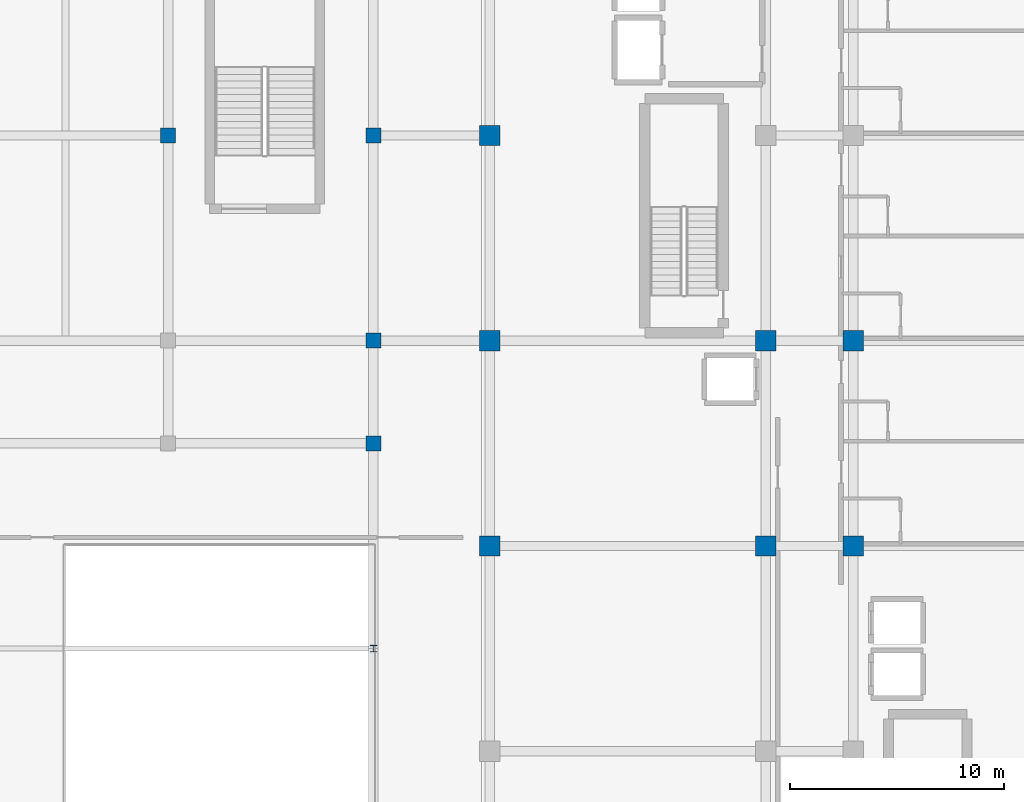
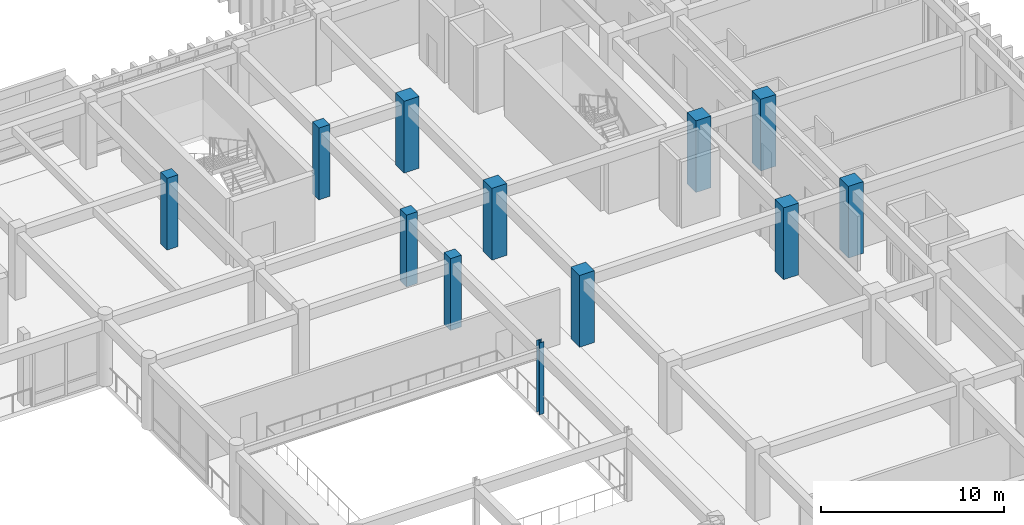
# One storey, part 5 of 133: 12 columns.
"""IFC4 building model written with IfcOpenShell, lengths in metres."""

from ifc_helpers import new_model, si_unit, direction, frame, origin, origin_2d, place, context, subcontext, project, spatial, rectangle, i_section, extrude, material, material_profile, profile_set, type_object, element, save


model = new_model("IFC4")

# Units and contexts
model_context = context("Model", 3, precision=1e-05, world=origin(), true_north=direction((0.0, 1.0)))
body_context = subcontext(model_context, "Body", "Model", "MODEL_VIEW")
ifc_project = project(units=[si_unit("LENGTHUNIT", "METRE"), si_unit("AREAUNIT", "SQUARE_METRE"), si_unit("VOLUMEUNIT", "CUBIC_METRE"), si_unit("PLANEANGLEUNIT", "RADIAN"), si_unit("MASSUNIT", "GRAM", prefix="KILO")], contexts=[model_context])

# Site, building, storey
site_placement = place(None, origin())
site = spatial("IfcSite", under=ifc_project, at=site_placement, CompositionType="ELEMENT")
building_placement = place(site_placement, origin())
building = spatial("IfcBuilding", under=site, at=building_placement, Name="Nakhvara Creek Congress Hotel", CompositionType="ELEMENT")
storey_placement = place(building_placement, frame((0.0, 0.0, 11.39990234375)))
storey = spatial("IfcBuildingStorey", under=building, at=storey_placement, Name="L02", CompositionType="ELEMENT", Elevation=11.39990234375)

# Columns
ifc_material_1 = material(Name="Concrete C50/60", Category="concrete")
ifc_material_profile_1 = material_profile(ifc_material_1, rectangle(XDim=0.699951171875, YDim=0.699951171875, at=origin_2d()), Name="RC-COL 700x700", Category="LoadBearing")
ifc_profile_set_1 = profile_set([ifc_material_profile_1], Name="Concrete C50/60")
column_type_1 = type_object("IfcColumnType", Name="COL-RC-700", PredefinedType="COLUMN", material=ifc_profile_set_1)
for number, where, z_axis, x_axis, name in (
    (1, (134.39990234375, 86.39990234375, 0.0), (0.0, 0.0, 1.0), (1.0, 0.0, 0.0), "Column C06-L02-1144"),
    (2, (144.0, 72.0, 0.0), (0.0, 0.0, 1.0), (1.0, 0.0, 0.0), "Column C06-L02-1154"),
    (3, (144.0, 76.800048828125, 0.0), (0.0, 0.0, 1.0), (1.0, 0.0, 0.0), "Column C06-L02-1155"),
    (4, (144.0, 86.39990234375, 0.0), (0.0, 0.0, 1.0), (1.0, 0.0, 0.0), "Column C06-L02-1156"),
):
    element("IfcColumn", number, at=place(storey_placement, frame(where, z_axis=z_axis, x_axis=x_axis)), inside=storey, type_object=column_type_1, Name=name, PredefinedType="COLUMN", context=body_context, shape_type="SweptSolid", body=[
        extrude(rectangle(XDim=0.699951171875, YDim=0.699951171875, at=origin_2d()), origin(), (0.0, 0.0, 1.0), 4.800048828125),
    ])
ifc_material_profile_2 = material_profile(ifc_material_1, rectangle(XDim=0.949951171875, YDim=0.949951171875, at=origin_2d()), Name="RC-COL 950x950", Category="LoadBearing")
ifc_profile_set_2 = profile_set([ifc_material_profile_2], Name="Concrete C50/60")
column_type_2 = type_object("IfcColumnType", Name="COL-RC-950", PredefinedType="COLUMN", material=ifc_profile_set_2)
for number, where, z_axis, x_axis, name in (
    (5, (149.449951171875, 67.199951171875, 0.0), (0.0, 0.0, 1.0), (1.0, 0.0, 0.0), "Column C17-L02-1165"),
    (6, (149.449951171875, 76.800048828125, 0.0), (0.0, 0.0, 1.0), (1.0, 0.0, 0.0), "Column C17-L02-1166"),
    (7, (149.449951171875, 86.39990234375, 0.0), (0.0, 0.0, 1.0), (1.0, 0.0, 0.0), "Column C17-L02-1167"),
    (8, (162.35009765625, 67.199951171875, 0.0), (0.0, 0.0, 1.0), (1.0, 0.0, 0.0), "Column C17-L02-1179"),
    (9, (162.35009765625, 76.800048828125, 0.0), (0.0, 0.0, 1.0), (1.0, 0.0, 0.0), "Column C17-L02-1180"),
    (10, (166.449951171875, 67.199951171875, 0.0), (0.0, 0.0, 1.0), (1.0, 0.0, 0.0), "Column C17-L02-1193"),
    (11, (166.449951171875, 76.800048828125, 0.0), (0.0, 0.0, 1.0), (1.0, 0.0, 0.0), "Column C17-L02-1194"),
):
    element("IfcColumn", number, at=place(storey_placement, frame(where, z_axis=z_axis, x_axis=x_axis)), inside=storey, type_object=column_type_2, Name=name, PredefinedType="COLUMN", context=body_context, shape_type="SweptSolid", body=[
        extrude(rectangle(XDim=0.949951171875, YDim=0.949951171875, at=origin_2d()), origin(), (0.0, 0.0, 1.0), 4.800048828125),
    ])
ifc_material_2 = material(Name="Steel S355J2", Category="steel")
ifc_material_profile_3 = material_profile(ifc_material_2, i_section(OverallWidth=0.307373046875, OverallDepth=0.314453125, WebThickness=0.011962890625, FlangeThickness=0.018798828125, FilletRadius=0.01513671875, at=origin_2d()), Name="UC 305x305x118", Category="LoadBearing")
ifc_profile_set_3 = profile_set([ifc_material_profile_3], Name="Steel S355J2")
column_type_3 = type_object("IfcColumnType", Name="COL-ST-UC305", PredefinedType="COLUMN", material=ifc_profile_set_3)
column_placement = place(storey_placement, frame((144.0, 62.39990234375, 0.0), z_axis=(0.0, 0.0, 1.0), x_axis=(1.0, 0.0, 0.0)))
element("IfcColumn", 12, at=column_placement, inside=storey, type_object=column_type_3, Name="Column CS2-L02-1153", PredefinedType="COLUMN", context=body_context, shape_type="SweptSolid", body=[
    extrude(i_section(OverallWidth=0.307373046875, OverallDepth=0.314453125, WebThickness=0.011962890625, FlangeThickness=0.018798828125, FilletRadius=0.01513671875, at=origin_2d()), origin(), (0.0, 0.0, 1.0), 4.800048828125),
])

save(model, "model.ifc")
